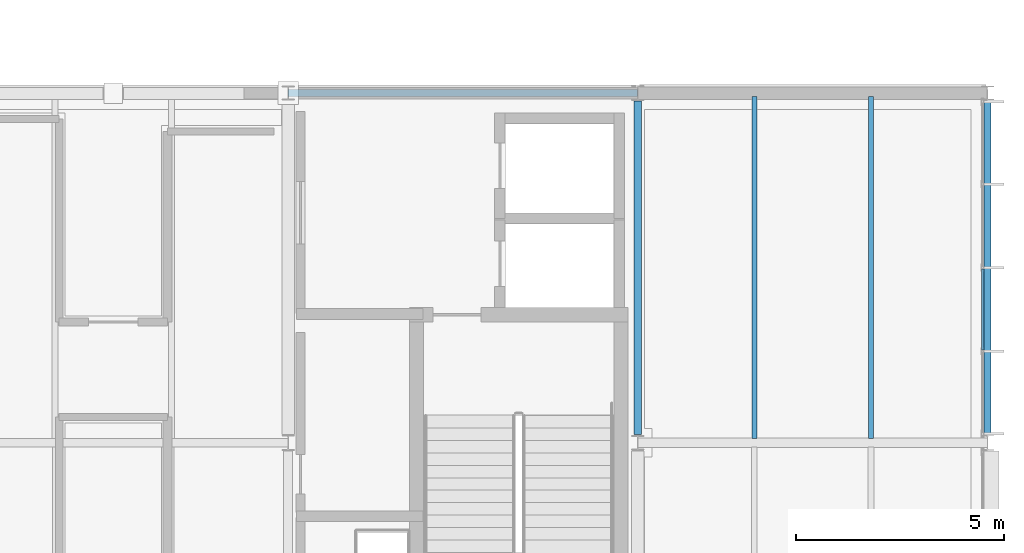
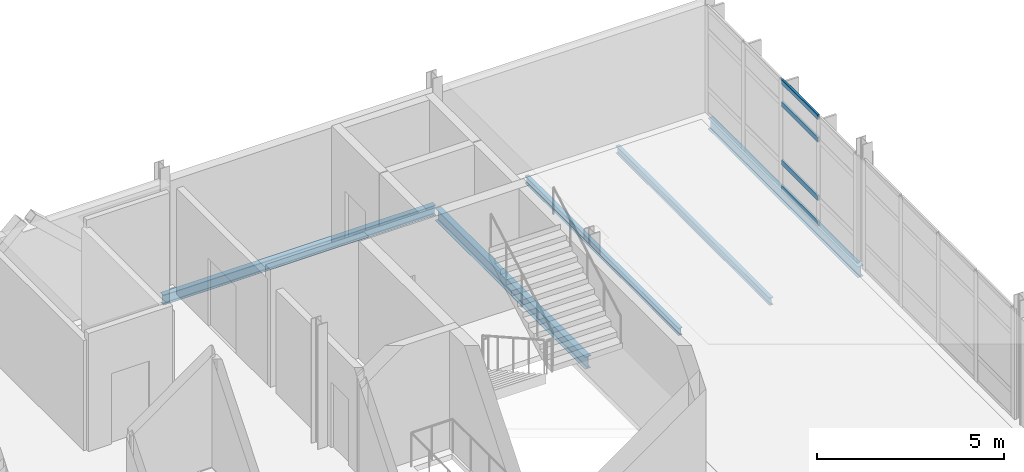
# One storey, part 39 of 57: 5 beams, 4 members, 1 element without a shape of its own.
"""IFC4 building model written with IfcOpenShell, lengths in metres."""

from ifc_helpers import new_model, si_unit, direction, frame, origin, origin_2d, place, context, subcontext, project, spatial, hollow_rectangle, i_section, extrude, material, material_profile, profile_set, type_object, element, aggregate, save


model = new_model("IFC4")

# Units and contexts
model_context = context("Model", 3, precision=1e-05, world=origin(), true_north=direction((0.0, 1.0)))
body_context = subcontext(model_context, "Body", "Model", "MODEL_VIEW")
ifc_project = project(units=[si_unit("LENGTHUNIT", "METRE"), si_unit("AREAUNIT", "SQUARE_METRE"), si_unit("VOLUMEUNIT", "CUBIC_METRE"), si_unit("PLANEANGLEUNIT", "RADIAN"), si_unit("MASSUNIT", "GRAM", prefix="KILO")], contexts=[model_context])

# Site, building, storey
site_placement = place(None, origin())
site = spatial("IfcSite", under=ifc_project, at=site_placement, CompositionType="ELEMENT")
building_placement = place(site_placement, origin())
building = spatial("IfcBuilding", under=site, at=building_placement, Name="Mersafa Astral City Hall", CompositionType="ELEMENT")
storey_placement = place(building_placement, frame((0.0, 0.0, 26.10009765625)))
storey = spatial("IfcBuildingStorey", under=building, at=storey_placement, Name="L06", CompositionType="ELEMENT", Elevation=26.10009765625)

# Curtain wall, members
ifc_material_1 = material(Name="Anodised bronze aluminium framing", Category="aluminium")
curtain_wall_type = type_object("IfcCurtainWallType", Name="ENV-CW-5", PredefinedType="USERDEFINED", material=ifc_material_1)
curtain_wall_placement = place(storey_placement, origin())
curtain_wall = element("IfcCurtainWall", 1, at=curtain_wall_placement, inside=storey, type_object=curtain_wall_type, Name="L06 Unitised solar curtain wall 256", ObjectType="UNITISED CURTAIN WALL", PredefinedType="USERDEFINED")
ifc_material_profile_1 = material_profile(ifc_material_1, hollow_rectangle(XDim=0.06005859375, YDim=0.159912109375, WallThickness=0.00390625, at=origin_2d()), Name="RHS 60x160x4")
ifc_profile_set_1 = profile_set([ifc_material_profile_1], Name="Anodised bronze aluminium framing")
member_type = type_object("IfcMemberType", Name="ENV-CW-TRN-2", PredefinedType="USERDEFINED", material=ifc_profile_set_1)
member_1_placement = place(storey_placement, frame((184.679931640625, 119.82861328125, 0.02783203125), z_axis=(0.0, 1.0, 0.0), x_axis=(-1.0, 0.0, 0.0)))
member_1 = element("IfcMember", 2, at=member_1_placement, type_object=member_type, Name="CW-5 transom 2.1", ObjectType="TRANSOM", PredefinedType="USERDEFINED", context=body_context, shape_type="SweptSolid", body=[
    extrude(hollow_rectangle(XDim=0.06005859375, YDim=0.159912109375, WallThickness=0.00390625, at=origin_2d()), origin(), (0.0, 0.0, 1.0), 1.9462890625),
])
member_2_placement = place(storey_placement, frame((184.679931640625, 119.82861328125, 0.849853515625), z_axis=(0.0, 1.0, 0.0), x_axis=(-1.0, 0.0, 0.0)))
member_2 = element("IfcMember", 3, at=member_2_placement, type_object=member_type, Name="CW-5 transom 2.2", ObjectType="TRANSOM", PredefinedType="USERDEFINED", context=body_context, shape_type="SweptSolid", body=[
    extrude(hollow_rectangle(XDim=0.06005859375, YDim=0.159912109375, WallThickness=0.00390625, at=origin_2d()), origin(), (0.0, 0.0, 1.0), 1.9462890625),
])
member_3_placement = place(storey_placement, frame((184.679931640625, 119.82861328125, 2.75), z_axis=(0.0, 1.0, 0.0), x_axis=(-1.0, 0.0, 0.0)))
member_3 = element("IfcMember", 4, at=member_3_placement, type_object=member_type, Name="CW-5 transom 2.3", ObjectType="TRANSOM", PredefinedType="USERDEFINED", context=body_context, shape_type="SweptSolid", body=[
    extrude(hollow_rectangle(XDim=0.06005859375, YDim=0.159912109375, WallThickness=0.00390625, at=origin_2d()), origin(), (0.0, 0.0, 1.0), 1.9462890625),
])
member_4_placement = place(storey_placement, frame((184.679931640625, 119.82861328125, 3.48193359375), z_axis=(0.0, 1.0, 0.0), x_axis=(-1.0, 0.0, 0.0)))
member_4 = element("IfcMember", 5, at=member_4_placement, type_object=member_type, Name="CW-5 transom 2.4", ObjectType="TRANSOM", PredefinedType="USERDEFINED", context=body_context, shape_type="SweptSolid", body=[
    extrude(hollow_rectangle(XDim=0.06005859375, YDim=0.159912109375, WallThickness=0.00390625, at=origin_2d()), origin(), (0.0, 0.0, 1.0), 1.9462890625),
])
aggregate(curtain_wall, [member_1, member_2, member_3, member_4])

# Beams
ifc_material_2 = material(Name="Steel S355", Category="steel")
ifc_material_profile_2 = material_profile(ifc_material_2, i_section(OverallWidth=0.179931640625, OverallDepth=0.39990234375, WebThickness=0.008544921875, FlangeThickness=0.013427734375, FilletRadius=0.02099609375, at=origin_2d()), Name="IPE 400")
ifc_profile_set_2 = profile_set([ifc_material_profile_2], Name="Steel S355")
beam_type_1 = type_object("IfcBeamType", Name="STR-BM-IPE400", PredefinedType="BEAM", material=ifc_profile_set_2)
beam_1_placement = place(storey_placement, frame((176.39990234375, 117.794921875, -0.375), z_axis=(0.0, 1.0, 0.0), x_axis=(-1.0, 0.0, 0.0)))
element("IfcBeam", 6, at=beam_1_placement, inside=storey, type_object=beam_type_1, Name="L06 Primary girder Y 21-14", PredefinedType="BEAM", context=body_context, shape_type="SweptSolid", body=[
    extrude(i_section(OverallWidth=0.179931640625, OverallDepth=0.39990234375, WebThickness=0.008544921875, FlangeThickness=0.013427734375, FilletRadius=0.02099609375, at=origin_2d()), origin(), (0.0, 0.0, 1.0), 8.010009765625),
])
ifc_material_profile_3 = material_profile(ifc_material_2, i_section(OverallWidth=0.1201171875, OverallDepth=0.239990234375, WebThickness=0.006103515625, FlangeThickness=0.009765625, FilletRadius=0.014892578125, at=origin_2d()), Name="IPE 240")
ifc_profile_set_3 = profile_set([ifc_material_profile_3], Name="Steel S355")
beam_type_2 = type_object("IfcBeamType", Name="STR-BM-JOIST-IPE240", PredefinedType="JOIST", material=ifc_profile_set_3)
for number, where, z_axis, x_axis, name in (
    (7, (179.199951171875, 117.705078125, -0.295166015625), (0.0, 1.0, 0.0), (-1.0, 0.0, 0.0), "L06 Composite secondary floor joist 886"),
    (8, (182.0, 117.705078125, -0.295166015625), (0.0, 1.0, 0.0), (-1.0, 0.0, 0.0), "L06 Composite secondary floor joist 887"),
):
    element("IfcBeam", number, at=place(storey_placement, frame(where, z_axis=z_axis, x_axis=x_axis)), inside=storey, type_object=beam_type_2, Name=name, PredefinedType="JOIST", context=body_context, shape_type="SweptSolid", body=[
        extrude(i_section(OverallWidth=0.1201171875, OverallDepth=0.239990234375, WebThickness=0.006103515625, FlangeThickness=0.009765625, FilletRadius=0.014892578125, at=origin_2d()), origin(), (0.0, 0.0, 1.0), 8.21484375),
    ])
ifc_material_profile_4 = material_profile(ifc_material_2, i_section(OverallWidth=0.159912109375, OverallDepth=0.330078125, WebThickness=0.007568359375, FlangeThickness=0.011474609375, FilletRadius=0.01806640625, at=origin_2d()), Name="IPE 330")
ifc_profile_set_4 = profile_set([ifc_material_profile_4], Name="Steel S355")
beam_type_3 = type_object("IfcBeamType", Name="STR-BM-SPANDREL-IPE330", PredefinedType="SPANDREL", material=ifc_profile_set_4)
beam_2_placement = place(storey_placement, frame((168.0029296875, 126.0, -0.340087890625), z_axis=(1.0, 0.0, 0.0), x_axis=(0.0, 1.0, 0.0)))
element("IfcBeam", 9, at=beam_2_placement, inside=storey, type_object=beam_type_3, Name="L06 Primary girder X 20-15", PredefinedType="SPANDREL", context=body_context, shape_type="SweptSolid", body=[
    extrude(i_section(OverallWidth=0.159912109375, OverallDepth=0.330078125, WebThickness=0.007568359375, FlangeThickness=0.011474609375, FilletRadius=0.01806640625, at=origin_2d()), origin(), (0.0, 0.0, 1.0), 8.39404296875),
])
ifc_material_profile_5 = material_profile(ifc_material_2, i_section(OverallWidth=0.169921875, OverallDepth=0.360107421875, WebThickness=0.008056640625, FlangeThickness=0.0126953125, FilletRadius=0.01806640625, at=origin_2d()), Name="IPE 360")
ifc_profile_set_5 = profile_set([ifc_material_profile_5], Name="Steel S355")
beam_type_4 = type_object("IfcBeamType", Name="STR-BM-SPANDREL-IPE360", PredefinedType="SPANDREL", material=ifc_profile_set_5)
beam_3_placement = place(storey_placement, frame((184.800048828125, 117.794921875, -0.35498046875), z_axis=(0.0, 1.0, 0.0), x_axis=(-1.0, 0.0, 0.0)))
element("IfcBeam", 10, at=beam_3_placement, inside=storey, type_object=beam_type_4, Name="L06 Primary girder Y 22-14", PredefinedType="SPANDREL", context=body_context, shape_type="SweptSolid", body=[
    extrude(i_section(OverallWidth=0.169921875, OverallDepth=0.360107421875, WebThickness=0.008056640625, FlangeThickness=0.0126953125, FilletRadius=0.01806640625, at=origin_2d()), origin(), (0.0, 0.0, 1.0), 8.010009765625),
])

save(model, "model.ifc")
